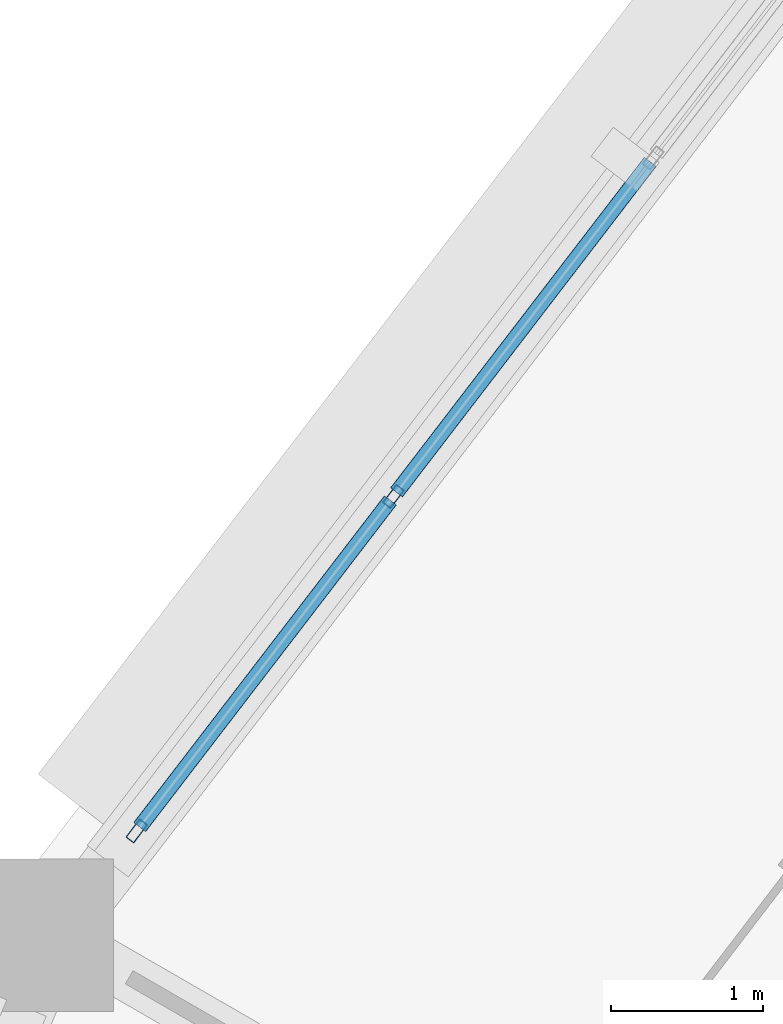
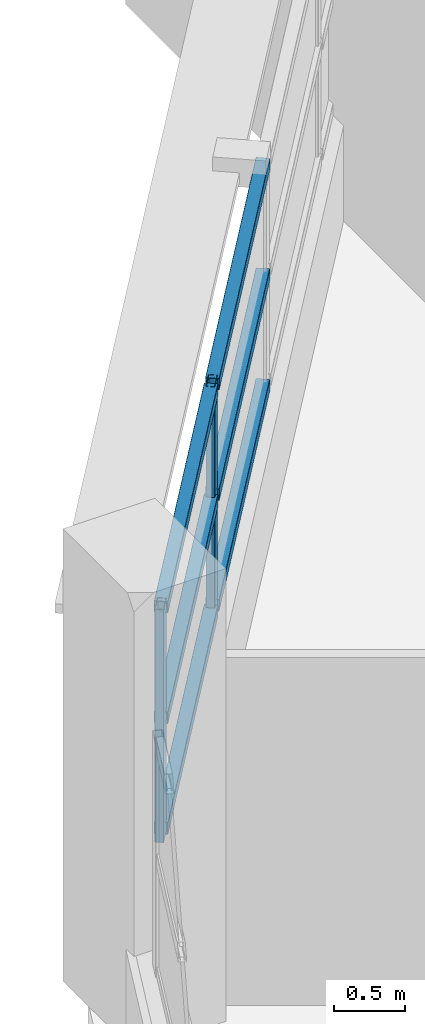
# One storey, part 21 of 53: 8 members, 1 element without a shape of its own.
"""IFC4 building model written with IfcOpenShell, lengths in metres."""

from ifc_helpers import new_model, si_unit, direction, frame, origin, origin_2d, place, context, subcontext, project, spatial, hollow_rectangle, extrude, material, layer, layer_set, material_profile, profile_set, type_object, element, aggregate, save


model = new_model("IFC4")

# Units and contexts
model_context = context("Model", 3, precision=1e-05, world=origin(), true_north=direction((0.0, 1.0)))
body_context = subcontext(model_context, "Body", "Model", "MODEL_VIEW")
ifc_project = project(units=[si_unit("LENGTHUNIT", "METRE"), si_unit("AREAUNIT", "SQUARE_METRE"), si_unit("VOLUMEUNIT", "CUBIC_METRE"), si_unit("PLANEANGLEUNIT", "RADIAN"), si_unit("MASSUNIT", "GRAM", prefix="KILO")], contexts=[model_context])

# Site, building, storey
site_placement = place(None, origin())
site = spatial("IfcSite", under=ifc_project, at=site_placement, CompositionType="ELEMENT")
building_placement = place(site_placement, origin())
building = spatial("IfcBuilding", under=site, at=building_placement, Name="Vespera Passage Community Centre", CompositionType="ELEMENT")
storey_placement = place(building_placement, frame((0.0, 0.0, 20.39990234375)))
storey = spatial("IfcBuildingStorey", under=building, at=storey_placement, Name="L05", CompositionType="ELEMENT", Elevation=20.39990234375)

# Curtain wall, members
ifc_material_1 = material(Name="Anodized aluminium 6063-T6", Category="aluminium")
ifc_layer = layer(ifc_material_1, 0.159912109375)
ifc_layer_set = layer_set([ifc_layer], Name="Anodized aluminium 6063-T6")
curtain_wall_type = type_object("IfcCurtainWallType", Name="CW-62E", PredefinedType="NOTDEFINED", material=ifc_layer_set)
curtain_wall_placement = place(storey_placement, origin())
curtain_wall = element("IfcCurtainWall", 1, at=curtain_wall_placement, inside=storey, type_object=curtain_wall_type, Name="V4 L05 Outer Ribbon Curtain Wall 9", PredefinedType="NOTDEFINED")
ifc_material_2 = material(Name="Anodized aluminium 6063-T6", Category="aluminium")
ifc_material_profile_1 = material_profile(ifc_material_2, hollow_rectangle(XDim=0.06494140625, YDim=0.14990234375, WallThickness=0.00390625, InnerFilletRadius=0.001953125, OuterFilletRadius=0.00390625, at=origin_2d()), Name="ALU150X65X4")
ifc_profile_set_1 = profile_set([ifc_material_profile_1], Name="Anodized aluminium 6063-T6")
member_type_1 = type_object("IfcMemberType", Name="MB-CWM-150E", PredefinedType="MULLION", material=ifc_profile_set_1)
member_1_placement = place(storey_placement, frame((38.601806640625, 89.235107421875, 0.820068359375), z_axis=(0.0, 0.0, 1.0), x_axis=(-0.793350429062, 0.608765222978, 0.0)))
member_1 = element("IfcMember", 2, at=member_1_placement, type_object=member_type_1, Name="CW-62E mullion 1", PredefinedType="MULLION", context=body_context, shape_type="SweptSolid", body=[
    extrude(hollow_rectangle(XDim=0.06494140625, YDim=0.14990234375, WallThickness=0.00390625, InnerFilletRadius=0.001953125, OuterFilletRadius=0.00390625, at=origin_2d()), origin(), (0.0, 0.0, 1.0), 2.005615234375),
])
member_2_placement = place(storey_placement, frame((40.287109375, 91.431396484375, 0.820068359375), z_axis=(0.0, 0.0, 1.0), x_axis=(-0.793350429062, 0.608765222978, 0.0)))
member_2 = element("IfcMember", 3, at=member_2_placement, type_object=member_type_1, Name="CW-62E mullion 2", PredefinedType="MULLION", context=body_context, shape_type="SweptSolid", body=[
    extrude(hollow_rectangle(XDim=0.06494140625, YDim=0.14990234375, WallThickness=0.00390625, InnerFilletRadius=0.001953125, OuterFilletRadius=0.00390625, at=origin_2d()), origin(), (0.0, 0.0, 1.0), 2.005615234375),
])
ifc_material_3 = material(Name="Anodized aluminium 6063-T6", Category="aluminium")
ifc_material_profile_2 = material_profile(ifc_material_3, hollow_rectangle(XDim=0.10009765625, YDim=0.10009765625, WallThickness=0.00390625, InnerFilletRadius=0.001953125, OuterFilletRadius=0.00390625, at=origin_2d()), Name="ALU100X100X4")
ifc_profile_set_2 = profile_set([ifc_material_profile_2], Name="Anodized aluminium 6063-T6")
member_type_2 = type_object("IfcMemberType", Name="MB-CWT-100E", PredefinedType="USERDEFINED", material=ifc_profile_set_2)
member_3_placement = place(storey_placement, frame((38.62158203125, 89.260986328125, 0.8701171875), z_axis=(0.608806888702, 0.793318455772, 0.0), x_axis=(-0.793318455772, 0.608806888702, 0.0)))
member_3 = element("IfcMember", 4, at=member_3_placement, type_object=member_type_2, Name="CW-62E transom 1.1", ObjectType="TRANSOM", PredefinedType="USERDEFINED", context=body_context, shape_type="SweptSolid", body=[
    extrude(hollow_rectangle(XDim=0.10009765625, YDim=0.10009765625, WallThickness=0.00390625, InnerFilletRadius=0.001953125, OuterFilletRadius=0.00390625, at=origin_2d()), origin(), (0.0, 0.0, 1.0), 2.703125),
])
member_4_placement = place(storey_placement, frame((38.62158203125, 89.260986328125, 1.822998046875), z_axis=(0.608806888702, 0.793318455772, 0.0), x_axis=(-0.793318455772, 0.608806888702, 0.0)))
member_4 = element("IfcMember", 5, at=member_4_placement, type_object=member_type_2, Name="CW-62E transom 1.2", ObjectType="TRANSOM", PredefinedType="USERDEFINED", context=body_context, shape_type="SweptSolid", body=[
    extrude(hollow_rectangle(XDim=0.10009765625, YDim=0.10009765625, WallThickness=0.00390625, InnerFilletRadius=0.001953125, OuterFilletRadius=0.00390625, at=origin_2d()), origin(), (0.0, 0.0, 1.0), 2.703125),
])
member_5_placement = place(storey_placement, frame((38.62158203125, 89.260986328125, 2.77587890625), z_axis=(0.608806888702, 0.793318455772, 0.0), x_axis=(-0.793318455772, 0.608806888702, 0.0)))
member_5 = element("IfcMember", 6, at=member_5_placement, type_object=member_type_2, Name="CW-62E transom 1.3", ObjectType="TRANSOM", PredefinedType="USERDEFINED", context=body_context, shape_type="SweptSolid", body=[
    extrude(hollow_rectangle(XDim=0.10009765625, YDim=0.10009765625, WallThickness=0.00390625, InnerFilletRadius=0.001953125, OuterFilletRadius=0.00390625, at=origin_2d()), origin(), (0.0, 0.0, 1.0), 2.703125),
])
member_6_placement = place(storey_placement, frame((40.306884765625, 91.457275390625, 0.8701171875), z_axis=(0.608787438682, 0.793333381689, 0.0), x_axis=(-0.793333381689, 0.608787438682, 0.0)))
member_6 = element("IfcMember", 7, at=member_6_placement, type_object=member_type_2, Name="CW-62E transom 2.1", ObjectType="TRANSOM", PredefinedType="USERDEFINED", context=body_context, shape_type="SweptSolid", body=[
    extrude(hollow_rectangle(XDim=0.10009765625, YDim=0.10009765625, WallThickness=0.00390625, InnerFilletRadius=0.001953125, OuterFilletRadius=0.00390625, at=origin_2d()), origin(), (0.0, 0.0, 1.0), 2.73583984375),
])
member_7_placement = place(storey_placement, frame((40.306884765625, 91.457275390625, 1.822998046875), z_axis=(0.608787438682, 0.793333381689, 0.0), x_axis=(-0.793333381689, 0.608787438682, 0.0)))
member_7 = element("IfcMember", 8, at=member_7_placement, type_object=member_type_2, Name="CW-62E transom 2.2", ObjectType="TRANSOM", PredefinedType="USERDEFINED", context=body_context, shape_type="SweptSolid", body=[
    extrude(hollow_rectangle(XDim=0.10009765625, YDim=0.10009765625, WallThickness=0.00390625, InnerFilletRadius=0.001953125, OuterFilletRadius=0.00390625, at=origin_2d()), origin(), (0.0, 0.0, 1.0), 2.73583984375),
])
member_8_placement = place(storey_placement, frame((40.306884765625, 91.457275390625, 2.77587890625), z_axis=(0.608787438682, 0.793333381689, 0.0), x_axis=(-0.793333381689, 0.608787438682, 0.0)))
member_8 = element("IfcMember", 9, at=member_8_placement, type_object=member_type_2, Name="CW-62E transom 2.3", ObjectType="TRANSOM", PredefinedType="USERDEFINED", context=body_context, shape_type="SweptSolid", body=[
    extrude(hollow_rectangle(XDim=0.10009765625, YDim=0.10009765625, WallThickness=0.00390625, InnerFilletRadius=0.001953125, OuterFilletRadius=0.00390625, at=origin_2d()), origin(), (0.0, 0.0, 1.0), 2.73583984375),
])
aggregate(curtain_wall, [member_1, member_2, member_3, member_4, member_5, member_6, member_7, member_8])

save(model, "model.ifc")
